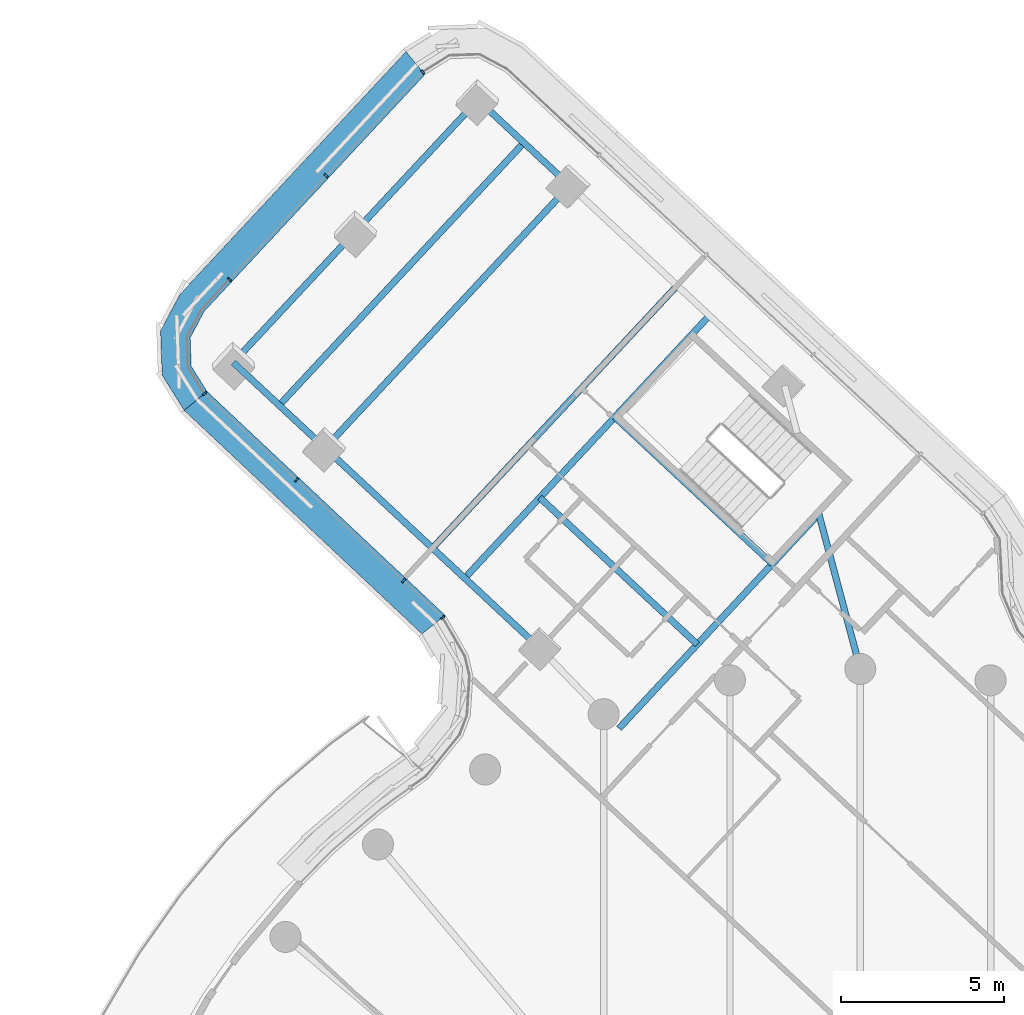
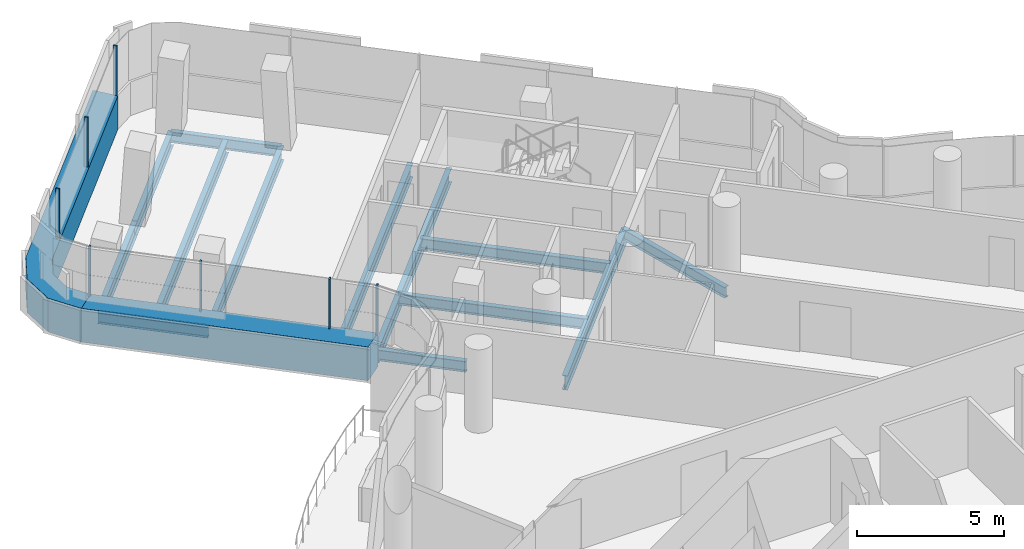
# One storey, part 13 of 30: 13 beams, 9 members, 3 elements without a shape of their own.
"""IFC4 building model written with IfcOpenShell, lengths in metres."""

from ifc_helpers import new_model, si_unit, direction, frame, origin, origin_2d, place, context, subcontext, project, spatial, polyline, rectangle, i_section, outline, extrude, material, layer, layer_set, material_profile, profile_set, type_object, element, aggregate, save


model = new_model("IFC4")

# Units and contexts
model_context = context("Model", 3, precision=1e-05, world=origin(), true_north=direction((0.0, 1.0)))
body_context = subcontext(model_context, "Body", "Model", "MODEL_VIEW")
ifc_project = project(units=[si_unit("LENGTHUNIT", "METRE"), si_unit("AREAUNIT", "SQUARE_METRE"), si_unit("VOLUMEUNIT", "CUBIC_METRE"), si_unit("PLANEANGLEUNIT", "RADIAN"), si_unit("MASSUNIT", "GRAM", prefix="KILO")], contexts=[model_context])

# Site, building, storey
site_placement = place(None, origin())
site = spatial("IfcSite", under=ifc_project, at=site_placement, CompositionType="ELEMENT")
building_placement = place(site_placement, origin())
building = spatial("IfcBuilding", under=site, at=building_placement, Name="Tamarind Cross Interchange Tower", CompositionType="ELEMENT")
storey_placement = place(building_placement, frame((0.0, 0.0, 204.10009765625)))
storey = spatial("IfcBuildingStorey", under=building, at=storey_placement, Name="L51", CompositionType="ELEMENT", Elevation=204.10009765625)

# Beams
ifc_material_1 = material(Name="Steel Q355B", Category="steel")
ifc_material_profile_1 = material_profile(ifc_material_1, i_section(OverallWidth=0.198974609375, OverallDepth=0.446044921875, WebThickness=0.008056640625, FlangeThickness=0.011962890625, FilletRadius=0.012939453125, at=origin_2d()), Name="HN 446x199x8x12")
ifc_profile_set_1 = profile_set([ifc_material_profile_1], Name="Steel Q355B")
beam_type_1 = type_object("IfcBeamType", Name="Composite beam HN 446x199x8x12 Q355B", PredefinedType="BEAM", material=ifc_profile_set_1)
for number, where, z_axis, x_axis, name in (
    (1, (-11.71875, 40.440185546875, -0.363037109375), (0.731557578631, -0.681779663196, 0.0), (0.681779663196, 0.731557578631, 0.0), "Beam N-edgeem5"),
    (2, (-19.218505859375, 32.39306640625, -0.363037109375), (0.731557578631, -0.681779663196, 0.0), (0.681779663196, 0.731557578631, 0.0), "Beam N-edgeep2"),
):
    element("IfcBeam", number, at=place(storey_placement, frame(where, z_axis=z_axis, x_axis=x_axis)), inside=storey, type_object=beam_type_1, Name=name, PredefinedType="BEAM", context=body_context, shape_type="SweptSolid", body=[
        extrude(i_section(OverallWidth=0.198974609375, OverallDepth=0.446044921875, WebThickness=0.008056640625, FlangeThickness=0.011962890625, FilletRadius=0.012939453125, at=origin_2d()), origin(), (0.0, 0.0, 1.0), 3.84521484375),
    ])
beam_1_placement = place(storey_placement, frame((-16.405517578125, 29.771484375, -0.363037109375), z_axis=(0.731544919726, -0.681793246096, 0.0), x_axis=(0.681793246096, 0.731544919726, 0.0)))
element("IfcBeam", 3, at=beam_1_placement, inside=storey, type_object=beam_type_1, Name="Beam N-edgeep3", PredefinedType="BEAM", context=body_context, shape_type="SweptSolid", body=[
    extrude(i_section(OverallWidth=0.198974609375, OverallDepth=0.446044921875, WebThickness=0.008056640625, FlangeThickness=0.011962890625, FilletRadius=0.012939453125, at=origin_2d()), origin(), (0.0, 0.0, 1.0), 8.999755859375),
])
beam_2_placement = place(storey_placement, frame((-1.28564453125, 27.807373046875, -0.363037109375), z_axis=(0.258352689228, -0.966050665322, 0.0), x_axis=(0.966050665322, 0.258352689228, 0.0)))
element("IfcBeam", 4, at=beam_2_placement, inside=storey, type_object=beam_type_1, Name="Beam N-linkemt1", PredefinedType="BEAM", context=body_context, shape_type="SweptSolid", body=[
    extrude(i_section(OverallWidth=0.198974609375, OverallDepth=0.446044921875, WebThickness=0.008056640625, FlangeThickness=0.011962890625, FilletRadius=0.012939453125, at=origin_2d()), origin(), (0.0, 0.0, 1.0), 4.976318359375),
])
for number, where, z_axis, x_axis, name in (
    (5, (-2.69580078125, 26.22119140625, -0.363037109375), (-0.731545898773, 0.681792195605, 0.0), (-0.681792195605, -0.731545898773, 0.0), "Beam N-tr1"),
    (6, (-4.996826171875, 23.752197265625, -0.363037109375), (-0.731545898773, 0.681792195605, 0.0), (-0.681792195605, -0.731545898773, 0.0), "Beam N-stripp"),
):
    element("IfcBeam", number, at=place(storey_placement, frame(where, z_axis=z_axis, x_axis=x_axis)), inside=storey, type_object=beam_type_1, Name=name, PredefinedType="BEAM", context=body_context, shape_type="SweptSolid", body=[
        extrude(i_section(OverallWidth=0.198974609375, OverallDepth=0.446044921875, WebThickness=0.008056640625, FlangeThickness=0.011962890625, FilletRadius=0.012939453125, at=origin_2d()), origin(), (0.0, 0.0, 1.0), 6.599853515625),
    ])
ifc_material_profile_2 = material_profile(ifc_material_1, i_section(OverallWidth=0.198974609375, OverallDepth=0.595947265625, WebThickness=0.010009765625, FlangeThickness=0.014892578125, FilletRadius=0.012939453125, at=origin_2d()), Name="HN 596x199x10x15")
ifc_profile_set_2 = profile_set([ifc_material_profile_2], Name="Steel Q355B")
beam_type_2 = type_object("IfcBeamType", Name="Composite beam HN 596x199x10x15 Q355B", PredefinedType="BEAM", material=ifc_profile_set_2)
beam_3_placement = place(storey_placement, frame((-11.71875, 40.440185546875, -0.43798828125), z_axis=(-0.681788236295, -0.731549588784, 0.0), x_axis=(0.731549588784, -0.681788236295, 0.0)))
element("IfcBeam", 7, at=beam_3_placement, inside=storey, type_object=beam_type_2, Name="Beam N-tip0", PredefinedType="BEAM", context=body_context, shape_type="SweptSolid", body=[
    extrude(i_section(OverallWidth=0.198974609375, OverallDepth=0.595947265625, WebThickness=0.010009765625, FlangeThickness=0.014892578125, FilletRadius=0.012939453125, at=origin_2d()), origin(), (0.0, 0.0, 1.0), 5.5),
])
beam_4_placement = place(storey_placement, frame((-15.468505859375, 36.416748046875, -0.43798828125), z_axis=(-0.681789852121, -0.731548082865, 0.0), x_axis=(0.731548082865, -0.681789852121, 0.0)))
element("IfcBeam", 8, at=beam_4_placement, inside=storey, type_object=beam_type_2, Name="Beam N-tip1", PredefinedType="BEAM", context=body_context, shape_type="SweptSolid", body=[
    extrude(i_section(OverallWidth=0.198974609375, OverallDepth=0.595947265625, WebThickness=0.010009765625, FlangeThickness=0.014892578125, FilletRadius=0.012939453125, at=origin_2d()), origin(), (0.0, 0.0, 1.0), 5.500244140625),
])
beam_5_placement = place(storey_placement, frame((-1.2705078125, 27.75048828125, -0.43798828125), z_axis=(-0.681784750805, -0.731552837169, 0.0), x_axis=(0.731552837169, -0.681784750805, 0.0)))
element("IfcBeam", 9, at=beam_5_placement, inside=storey, type_object=beam_type_2, Name="Beam N-x268", PredefinedType="BEAM", context=body_context, shape_type="SweptSolid", body=[
    extrude(i_section(OverallWidth=0.198974609375, OverallDepth=0.595947265625, WebThickness=0.010009765625, FlangeThickness=0.014892578125, FilletRadius=0.012939453125, at=origin_2d()), origin(), (0.0, 0.0, 1.0), 8.987060546875),
])
for number, where, z_axis, x_axis, name in (
    (10, (-4.626220703125, 33.830078125, -0.43798828125), (-0.681789044234, -0.731548835802, 0.0), (0.731548835802, -0.681789044234, 0.0), "Beam N-x334"),
    (11, (-8.90576171875, 37.818603515625, -0.43798828125), (-0.681789044234, -0.731548835802, 0.0), (0.731548835802, -0.681789044234, 0.0), "Beam N-x393"),
    (12, (-5.614013671875, 34.75048828125, -0.43798828125), (-0.68177716634, -0.731559905584, 0.0), (0.731559905584, -0.68177716634, 0.0), "Beam N-x348"),
    (13, (-10.312255859375, 39.12939453125, -0.43798828125), (-0.681789044234, -0.731548835802, 0.0), (0.731548835802, -0.681789044234, 0.0), "Beam N-x412"),
):
    element("IfcBeam", number, at=place(storey_placement, frame(where, z_axis=z_axis, x_axis=x_axis)), inside=storey, type_object=beam_type_2, Name=name, PredefinedType="BEAM", context=body_context, shape_type="SweptSolid", body=[
        extrude(i_section(OverallWidth=0.198974609375, OverallDepth=0.595947265625, WebThickness=0.010009765625, FlangeThickness=0.014892578125, FilletRadius=0.012939453125, at=origin_2d()), origin(), (0.0, 0.0, 1.0), 11.0),
    ])

# Curtain wall, member
ifc_material_2 = material(Name="Aluminium 6063-T6", Category="aluminium")
ifc_layer = layer(ifc_material_2, 0.139892578125)
ifc_layer_set = layer_set([ifc_layer], Name="Aluminium 6063-T6")
curtain_wall_type = type_object("IfcCurtainWallType", Name="Hotel curtain wall, 4.5 m bays", PredefinedType="NOTDEFINED", material=ifc_layer_set)
curtain_wall_1_placement = place(storey_placement, origin())
curtain_wall_1 = element("IfcCurtainWall", 14, at=curtain_wall_1_placement, inside=storey, type_object=curtain_wall_type, Name="CWS-L51-08", PredefinedType="NOTDEFINED")
ifc_material_3 = material(Name="Aluminium and insulated spandrel panel", Category="aluminium")
member_type_1 = type_object("IfcMemberType", Name="Floor-edge blade transom", PredefinedType="USERDEFINED", material=ifc_material_3)
member_1_placement = place(storey_placement, origin())
member_1 = element("IfcMember", 15, at=member_1_placement, type_object=member_type_1, Name="CWT-L51-08", ObjectType="TRANSOM", PredefinedType="USERDEFINED", context=body_context, shape_type="SweptSolid", body=[
    extrude(outline(polyline([(-13.3466796875, 41.219970703125), (-20.11083984375, 33.962158203125), (-20.540283203125, 33.15380859375), (-20.509521484375, 32.27978515625), (-20.02392578125, 31.503173828125), (-20.72509765625, 30.92724609375), (-21.400390625, 32.00732421875), (-21.4482421875, 33.36328125), (-20.849853515625, 34.4892578125), (-13.92431640625, 41.920166015625), (-13.3466796875, 41.219970703125)])), origin(), (0.0, 0.0, 1.0), 1.39990234375),
])

curtain_wall_2_placement = place(storey_placement, origin())
curtain_wall_2 = element("IfcCurtainWall", 16, at=curtain_wall_2_placement, inside=storey, type_object=curtain_wall_type, Name="CWS-L51-09", PredefinedType="NOTDEFINED")
member_2_placement = place(storey_placement, origin())
member_2 = element("IfcMember", 17, at=member_2_placement, type_object=member_type_1, Name="CWT-L51-09", ObjectType="TRANSOM", PredefinedType="USERDEFINED", context=body_context, shape_type="SweptSolid", body=[
    extrude(outline(polyline([(-20.02392578125, 31.503173828125), (-12.72216796875, 24.63916015625), (-13.434814453125, 24.07373046875), (-20.72509765625, 30.92724609375), (-20.02392578125, 31.503173828125)])), origin(), (0.0, 0.0, 1.0), 1.39990234375),
])

# Member
ifc_material_profile_3 = material_profile(ifc_material_2, rectangle(XDim=0.06005859375, YDim=0.139892578125, at=origin_2d()), Name="Mullion CW2")
ifc_profile_set_3 = profile_set([ifc_material_profile_3], Name="Aluminium 6063-T6")
member_type_2 = type_object("IfcMemberType", Name="Mullion CW2", PredefinedType="MULLION", material=ifc_profile_set_3)
member_3_placement = place(storey_placement, frame((-13.410888671875, 41.297607421875, 1.39990234375), z_axis=(0.0, 0.0, 1.0), x_axis=(-0.771446926756, -0.636293673707, 0.0)))
member_3 = element("IfcMember", 18, at=member_3_placement, type_object=member_type_2, Name="CWM-L51-08-00", PredefinedType="MULLION", context=body_context, shape_type="SweptSolid", body=[
    extrude(rectangle(XDim=0.06005859375, YDim=0.139892578125, at=origin_2d()), origin(), (0.0, 0.0, 1.0), 2.06005859375),
])

member_4_placement = place(storey_placement, frame((-16.37353515625, 38.11865234375, 1.39990234375), z_axis=(0.0, 0.0, 1.0), x_axis=(-0.681794100992, -0.73154412297, 0.0)))
member_4 = element("IfcMember", 19, at=member_4_placement, type_object=member_type_2, Name="CWM-L51-08-01", PredefinedType="MULLION", context=body_context, shape_type="SweptSolid", body=[
    extrude(rectangle(XDim=0.06005859375, YDim=0.139892578125, at=origin_2d()), origin(), (0.0, 0.0, 1.0), 2.06005859375),
])

member_5_placement = place(storey_placement, frame((-19.33642578125, 34.939697265625, 1.39990234375), z_axis=(0.0, 0.0, 1.0), x_axis=(-0.681794100992, -0.73154412297, 0.0)))
member_5 = element("IfcMember", 20, at=member_5_placement, type_object=member_type_2, Name="CWM-L51-08-02", PredefinedType="MULLION", context=body_context, shape_type="SweptSolid", body=[
    extrude(rectangle(XDim=0.06005859375, YDim=0.139892578125, at=origin_2d()), origin(), (0.0, 0.0, 1.0), 2.06005859375),
])

aggregate(curtain_wall_1, [member_3, member_4, member_5, member_1])

member_6_placement = place(storey_placement, frame((-20.101806640625, 31.439208984375, 1.39990234375), z_axis=(0.0, 0.0, 1.0), x_axis=(0.634635280512, -0.772811788684, 0.0)))
member_6 = element("IfcMember", 21, at=member_6_placement, type_object=member_type_2, Name="CWM-L51-09-00", PredefinedType="MULLION", context=body_context, shape_type="SweptSolid", body=[
    extrude(rectangle(XDim=0.06005859375, YDim=0.139892578125, at=origin_2d()), origin(), (0.0, 0.0, 1.0), 2.06005859375),
])

member_7_placement = place(storey_placement, frame((-17.282958984375, 28.789306640625, 1.39990234375), z_axis=(0.0, 0.0, 1.0), x_axis=(0.728608644687, -0.684930246732, 0.0)))
member_7 = element("IfcMember", 22, at=member_7_placement, type_object=member_type_2, Name="CWM-L51-09-01", PredefinedType="MULLION", context=body_context, shape_type="SweptSolid", body=[
    extrude(rectangle(XDim=0.06005859375, YDim=0.139892578125, at=origin_2d()), origin(), (0.0, 0.0, 1.0), 2.06005859375),
])

member_8_placement = place(storey_placement, frame((-14.0029296875, 25.7060546875, 1.39990234375), z_axis=(0.0, 0.0, 1.0), x_axis=(0.728608644687, -0.684930246732, 0.0)))
member_8 = element("IfcMember", 23, at=member_8_placement, type_object=member_type_2, Name="CWM-L51-09-02", PredefinedType="MULLION", context=body_context, shape_type="SweptSolid", body=[
    extrude(rectangle(XDim=0.06005859375, YDim=0.139892578125, at=origin_2d()), origin(), (0.0, 0.0, 1.0), 2.06005859375),
])

aggregate(curtain_wall_2, [member_6, member_7, member_8, member_2])

# Curtain wall, member
curtain_wall_3_placement = place(storey_placement, origin())
curtain_wall_3 = element("IfcCurtainWall", 24, at=curtain_wall_3_placement, inside=storey, type_object=curtain_wall_type, Name="CWS-L51-10", PredefinedType="NOTDEFINED")
member_9_placement = place(storey_placement, frame((-12.801513671875, 24.576416015625, 1.39990234375), z_axis=(0.0, 0.0, 1.0), x_axis=(0.621632759014, -0.783308823466, 0.0)))
member_9 = element("IfcMember", 25, at=member_9_placement, type_object=member_type_2, Name="CWM-L51-10-00", PredefinedType="MULLION", context=body_context, shape_type="SweptSolid", body=[
    extrude(rectangle(XDim=0.06005859375, YDim=0.139892578125, at=origin_2d()), origin(), (0.0, 0.0, 1.0), 2.06005859375),
])
aggregate(curtain_wall_3, [member_9])

save(model, "model.ifc")
